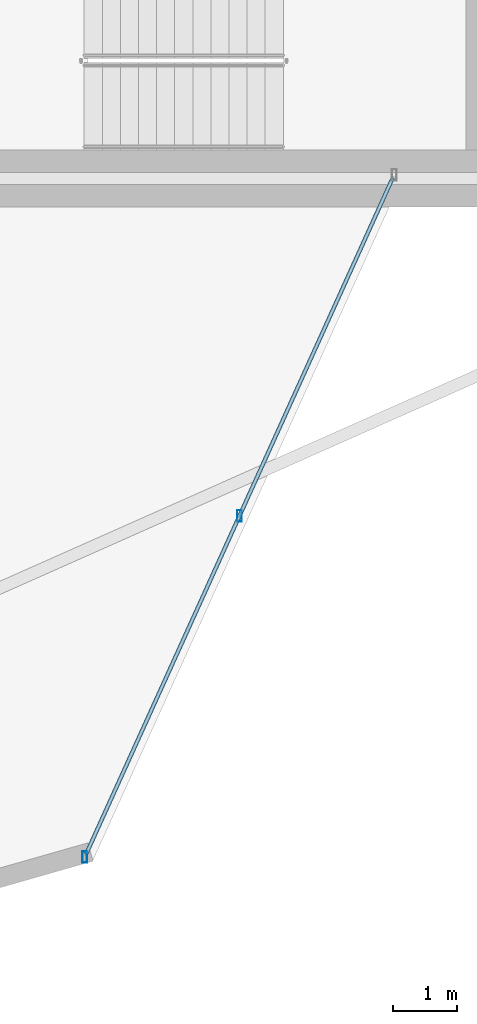
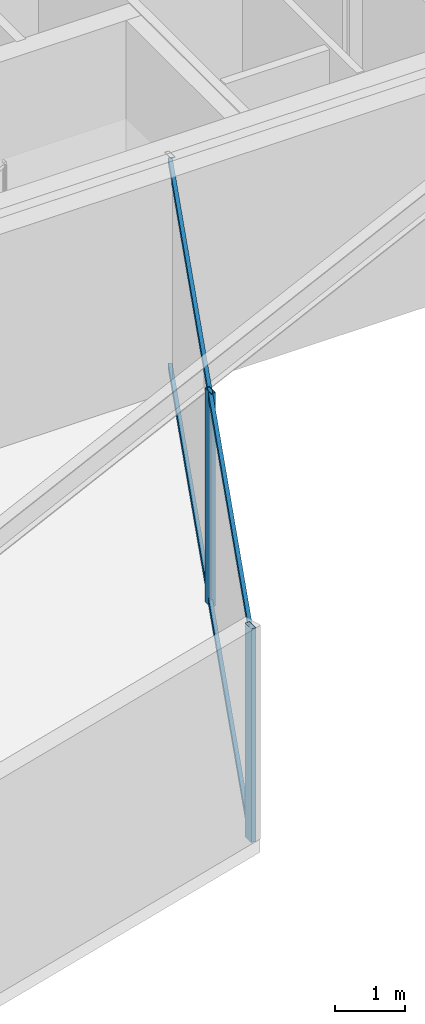
# One storey, part 10 of 25: 4 members, 1 element without a shape of its own.
"""IFC4 building model written with IfcOpenShell, lengths in metres."""

import ifcopenshell
import ifcopenshell.guid

model = None  # the IFC model being written
_history = None  # IfcOwnerHistory: only IFC2X3 demands one
_inside = {}  # id of a spatial element -> (the spatial element, [elements in it])
_under = {}  # id of a project, library or spatial element -> (it, [spatial elements below it])
_declared = {}  # id of a project -> (the project, [libraries it declares])
_typed = {}  # id of a type object -> (the type object, [elements of that type])
_made_of = {}  # id of a material, layer set ... -> (it, [elements and type objects made of it])


def new_model(schema):
    """Start an empty IFC model of exactly this schema.

    Asked for "IFC4X3", IfcOpenShell would pick the latest addendum, in which some entities
    have other attributes; the version numbers below select the first issue.
    IFC2X3 requires an IfcOwnerHistory on every rooted entity: one is made here for all.
    """
    global model, _history
    if schema == "IFC4X3":
        model = ifcopenshell.file(schema_version=(4, 3, 0, 0))
    else:
        model = ifcopenshell.file(schema=schema)
    _inside.clear()
    _under.clear()
    _declared.clear()
    _typed.clear()
    _made_of.clear()
    _history = None
    if model.schema == "IFC2X3":
        org = make("IfcOrganization", Name="unknown")
        user = make(
            "IfcPersonAndOrganization",
            ThePerson=make("IfcPerson", FamilyName="unknown"),
            TheOrganization=org,
        )
        app = make(
            "IfcApplication",
            ApplicationDeveloper=org,
            Version="unknown",
            ApplicationFullName="unknown",
            ApplicationIdentifier="unknown",
        )
        _history = make(
            "IfcOwnerHistory",
            OwningUser=user,
            OwningApplication=app,
            ChangeAction="ADDED",
            CreationDate=0,
        )
    return model


def make(cls, **values):
    """One entity of the class cls with the attributes given. An attribute that is None is left unset."""
    return model.create_entity(
        cls, **{name: value for name, value in values.items() if value is not None}
    )


def rooted(cls, **values):
    """An entity with a GlobalId (a new one), such as an element, a storey or a relation."""
    return make(cls, GlobalId=ifcopenshell.guid.new(), OwnerHistory=_history, **values)


def si_unit(unit_type, name, prefix=None):
    """IfcSIUnit, for example si_unit("LENGTHUNIT", "METRE", prefix="MILLI")."""
    return make("IfcSIUnit", UnitType=unit_type, Prefix=prefix, Name=name)


def assignment(units):
    """IfcUnitAssignment: the units of a project."""
    return None if units is None else make("IfcUnitAssignment", Units=units)


def point(xyz):
    """IfcCartesianPoint."""
    return None if xyz is None else make("IfcCartesianPoint", Coordinates=xyz)


def direction(xyz):
    """IfcDirection."""
    return None if xyz is None else make("IfcDirection", DirectionRatios=xyz)


def frame(location, z_axis=None, x_axis=None):
    """IfcAxis2Placement3D, a coordinate frame: its origin and axes. An axis left out is left unset."""
    return make(
        "IfcAxis2Placement3D",
        Location=point(location),
        Axis=direction(z_axis),
        RefDirection=direction(x_axis),
    )


def frame_2d(location, x_axis=None):
    """IfcAxis2Placement2D, a coordinate frame in the plane: its origin and x axis."""
    return make(
        "IfcAxis2Placement2D", Location=point(location), RefDirection=direction(x_axis)
    )


def origin():
    """The frame at (0, 0, 0) with its axes left unset."""
    return frame((0.0, 0.0, 0.0))


def origin_2d():
    """The frame at (0, 0) in the plane with its x axis left unset."""
    return frame_2d((0.0, 0.0))


def place(relative_to, where):
    """IfcLocalPlacement: puts the frame where relative to a parent placement (None: the world)."""
    return make(
        "IfcLocalPlacement", PlacementRelTo=relative_to, RelativePlacement=where
    )


def context(
    kind, dimensions, precision=None, world=None, true_north=None, identifier=None
):
    """IfcGeometricRepresentationContext, for example the 3D "Model" context."""
    return make(
        "IfcGeometricRepresentationContext",
        ContextIdentifier=identifier,
        ContextType=kind,
        CoordinateSpaceDimension=dimensions,
        Precision=precision,
        WorldCoordinateSystem=world,
        TrueNorth=true_north,
    )


def subcontext(parent, identifier, kind, view, scale=None):
    """IfcGeometricRepresentationSubContext, for example "Body" below "Model"."""
    return make(
        "IfcGeometricRepresentationSubContext",
        ContextIdentifier=identifier,
        ContextType=kind,
        ParentContext=parent,
        TargetScale=scale,
        TargetView=view,
    )


def project(units=None, contexts=None):
    """IfcProject with its units and contexts."""
    return rooted(
        "IfcProject",
        Name="project",
        RepresentationContexts=contexts,
        UnitsInContext=assignment(units),
    )


def spatial(cls, under=None, at=None, **own):
    """A site, building, storey or space (cls), placed at a placement, below another one or the project."""
    s = rooted(cls, ObjectPlacement=at, **own)
    if under is not None:
        _under.setdefault(under.id(), (under, []))[1].append(s)
    return s


def profile(cls, at=None, kind="AREA", **sizes):
    """A parametric profile (cls). Its sizes go by their IFC names, for example OverallWidth=200.0."""
    return make(cls, ProfileType=kind, Position=at, **sizes)


def hollow_rectangle(**sizes):
    """IfcRectangleHollowProfileDef."""
    return profile("IfcRectangleHollowProfileDef", **sizes)


def extrude(swept, where, along, depth):
    """IfcExtrudedAreaSolid: the profile swept, set in the frame where, extruded along a direction by depth."""
    return make(
        "IfcExtrudedAreaSolid",
        SweptArea=swept,
        Position=where,
        ExtrudedDirection=direction(along),
        Depth=depth,
    )


def shape(context_of_items, identifier, shape_type, items):
    """IfcShapeRepresentation: the items that make up one representation, for example the "Body"."""
    return make(
        "IfcShapeRepresentation",
        ContextOfItems=context_of_items,
        RepresentationIdentifier=identifier,
        RepresentationType=shape_type,
        Items=items,
    )


def material(Name=None, Category=None):
    """IfcMaterial."""
    return make("IfcMaterial", Name=Name, Category=Category)


def layer(
    of_material, thickness, ventilated=None, Name=None, Category=None, Priority=None
):
    """IfcMaterialLayer: one layer of a wall or slab, of a material (None: an air gap)."""
    return make(
        "IfcMaterialLayer",
        Material=of_material,
        LayerThickness=thickness,
        IsVentilated=ventilated,
        Name=Name,
        Category=Category,
        Priority=Priority,
    )


def layer_set(layers, Name=None):
    """IfcMaterialLayerSet."""
    return make("IfcMaterialLayerSet", MaterialLayers=layers, LayerSetName=Name)


def material_profile(
    of_material, cross_section, Name=None, Category=None, Priority=None
):
    """IfcMaterialProfile: a cross section and its material."""
    return make(
        "IfcMaterialProfile",
        Name=Name,
        Material=of_material,
        Profile=cross_section,
        Priority=Priority,
        Category=Category,
    )


def profile_set(profiles, Name=None, composite=None):
    """IfcMaterialProfileSet."""
    return make(
        "IfcMaterialProfileSet",
        Name=Name,
        MaterialProfiles=profiles,
        CompositeProfile=composite,
    )


def made_of(thing, what):
    """Note that an element or type object is made of a material, layer set ...; save() writes the relation."""
    if what is not None:
        _made_of.setdefault(what.id(), (what, []))[1].append(thing)
    return thing


def type_object(cls, material=None, **own):
    """A type object (cls), such as IfcWallType, which elements share."""
    return made_of(rooted(cls, **own), material)


def element(
    cls,
    number,
    at=None,
    inside=None,
    cuts=None,
    type_object=None,
    material=None,
    context=None,
    identifier="Body",
    shape_type=None,
    held_by="IfcProductDefinitionShape",
    body=None,
    shapes=None,
    **own,
):
    """One element of the class cls, such as IfcWall. Its Tag is "e" and its number.

    at: its placement. inside: the storey or other place that contains it. cuts: it is an
    opening in that element (IfcRelVoidsElement). A single representation is given by context,
    identifier, shape_type and body (its items); several are given by shapes. held_by: the class
    of the entity that holds the representations. save() writes the other relations.
    """
    e = rooted(cls, Tag="e%d" % number, ObjectPlacement=at, **own)
    if body is not None:
        shapes = [shape(context, identifier, shape_type, body)]
    if shapes is not None:
        e.Representation = make(held_by, Representations=shapes)
    if inside is not None:
        _inside.setdefault(inside.id(), (inside, []))[1].append(e)
    if cuts is not None:
        rooted(
            "IfcRelVoidsElement", RelatingBuildingElement=cuts, RelatedOpeningElement=e
        )
    if type_object is not None:
        _typed.setdefault(type_object.id(), (type_object, []))[1].append(e)
    return made_of(e, material)


def aggregate(whole, parts):
    """IfcRelAggregates: a whole, such as a stair, and the parts it consists of."""
    return rooted("IfcRelAggregates", RelatingObject=whole, RelatedObjects=parts)


def save(model, path):
    """Write the relations noted so far, then the file.

    IfcRelAggregates (storeys below a building ...), IfcRelContainedInSpatialStructure (elements
    in a storey), IfcRelDefinesByType, IfcRelAssociatesMaterial and IfcRelDeclares: one each for
    every whole, place, type object, material and project.
    """
    for whole, parts in _under.values():
        aggregate(whole, parts)
    for where, things in _inside.values():
        rooted(
            "IfcRelContainedInSpatialStructure",
            RelatedElements=things,
            RelatingStructure=where,
        )
    for kind, things in _typed.values():
        rooted("IfcRelDefinesByType", RelatedObjects=things, RelatingType=kind)
    for what, things in _made_of.values():
        rooted("IfcRelAssociatesMaterial", RelatedObjects=things, RelatingMaterial=what)
    for by, libraries in _declared.values():
        rooted("IfcRelDeclares", RelatingContext=by, RelatedDefinitions=libraries)
    model.write(path)


model = new_model("IFC4")

# Units and contexts
model_context = context("Model", 3, precision=1e-05, world=origin(), true_north=direction((0.0, 1.0)))
body_context = subcontext(model_context, "Body", "Model", "MODEL_VIEW")
ifc_project = project(units=[si_unit("LENGTHUNIT", "METRE"), si_unit("AREAUNIT", "SQUARE_METRE"), si_unit("VOLUMEUNIT", "CUBIC_METRE"), si_unit("PLANEANGLEUNIT", "RADIAN"), si_unit("MASSUNIT", "GRAM", prefix="KILO")], contexts=[model_context])

# Site, building, storey
site_placement = place(None, origin())
site = spatial("IfcSite", under=ifc_project, at=site_placement, CompositionType="ELEMENT")
building_placement = place(site_placement, origin())
building = spatial("IfcBuilding", under=site, at=building_placement, Name="Veymaron Broadcast Tower", CompositionType="ELEMENT")
storey_placement = place(building_placement, frame((0.0, 0.0, 102.60009765625)))
storey = spatial("IfcBuildingStorey", under=building, at=storey_placement, Name="L23", CompositionType="ELEMENT", Elevation=102.60009765625)

# Curtain wall, members
ifc_material_1 = material(Name="Anodised aluminium AA 6063-T6 and laminated low-E dark glass", Category="aluminium")
ifc_layer = layer(ifc_material_1, 0.179931640625)
ifc_layer_set = layer_set([ifc_layer], Name="Anodised aluminium AA 6063-T6 and laminated low-E dark glass")
curtain_wall_type = type_object("IfcCurtainWallType", Name="CW-SYS-02", PredefinedType="NOTDEFINED", material=ifc_layer_set)
curtain_wall_placement = place(storey_placement, origin())
curtain_wall = element("IfcCurtainWall", 1, at=curtain_wall_placement, inside=storey, type_object=curtain_wall_type, Name="L23 dark-glass curtain wall CW-L23-E20-1", PredefinedType="NOTDEFINED")
ifc_material_2 = material(Name="Anodised aluminium AA 6063-T6", Category="aluminium")
ifc_material_profile_1 = material_profile(ifc_material_2, hollow_rectangle(XDim=0.074951171875, YDim=0.179931640625, WallThickness=0.0048828125, at=origin_2d()), Name="AL180X75X5")
ifc_profile_set_1 = profile_set([ifc_material_profile_1], Name="Anodised aluminium AA 6063-T6")
member_type_1 = type_object("IfcMemberType", Name="CW-MUL-02", PredefinedType="MULLION", material=ifc_profile_set_1)
member_1_placement = place(storey_placement, frame((41.439208984375, 5.31787109375, 0.0), z_axis=(0.0, 0.0, 1.0), x_axis=(1.0, 0.0, 0.0)))
member_1 = element("IfcMember", 2, at=member_1_placement, type_object=member_type_1, Name="CW-L23-E20-1 mullion 0", PredefinedType="MULLION", context=body_context, shape_type="SweptSolid", body=[
    extrude(hollow_rectangle(XDim=0.074951171875, YDim=0.179931640625, WallThickness=0.0048828125, at=origin_2d()), origin(), (0.0, 0.0, 1.0), 3.72998046875),
])
member_2_placement = place(storey_placement, frame((43.87451171875, 10.687744140625, 0.0), z_axis=(0.0, 0.0, 1.0), x_axis=(1.0, 0.0, 0.0)))
member_2 = element("IfcMember", 3, at=member_2_placement, type_object=member_type_1, Name="CW-L23-E20-1 mullion 1", PredefinedType="MULLION", context=body_context, shape_type="SweptSolid", body=[
    extrude(hollow_rectangle(XDim=0.074951171875, YDim=0.179931640625, WallThickness=0.0048828125, at=origin_2d()), origin(), (0.0, 0.0, 1.0), 3.72998046875),
])
ifc_material_profile_2 = material_profile(ifc_material_2, hollow_rectangle(XDim=0.06005859375, YDim=0.1201171875, WallThickness=0.00390625, at=origin_2d()), Name="AL120X60X4")
ifc_profile_set_2 = profile_set([ifc_material_profile_2], Name="Anodised aluminium AA 6063-T6")
member_type_2 = type_object("IfcMemberType", Name="CW-TRN-02", PredefinedType="USERDEFINED", material=ifc_profile_set_2)
member_3_placement = place(storey_placement, frame((41.4599609375, 5.36328125, 0.06982421875), z_axis=(0.413000488242, 0.910730803647, 0.0), x_axis=(-0.910730803647, 0.413000488242, 0.0)))
member_3 = element("IfcMember", 4, at=member_3_placement, type_object=member_type_2, Name="CW-L23-E20-1 transom B", ObjectType="TRANSOM", PredefinedType="USERDEFINED", context=body_context, shape_type="SweptSolid", body=[
    extrude(hollow_rectangle(XDim=0.06005859375, YDim=0.1201171875, WallThickness=0.00390625, at=origin_2d()), origin(), (0.0, 0.0, 1.0), 11.692626953125),
])
member_4_placement = place(storey_placement, frame((41.4599609375, 5.36328125, 3.659912109375), z_axis=(0.413000488242, 0.910730803647, 0.0), x_axis=(-0.910730803647, 0.413000488242, 0.0)))
member_4 = element("IfcMember", 5, at=member_4_placement, type_object=member_type_2, Name="CW-L23-E20-1 transom T", ObjectType="TRANSOM", PredefinedType="USERDEFINED", context=body_context, shape_type="SweptSolid", body=[
    extrude(hollow_rectangle(XDim=0.06005859375, YDim=0.1201171875, WallThickness=0.00390625, at=origin_2d()), origin(), (0.0, 0.0, 1.0), 11.692626953125),
])
aggregate(curtain_wall, [member_1, member_2, member_3, member_4])

save(model, "model.ifc")
